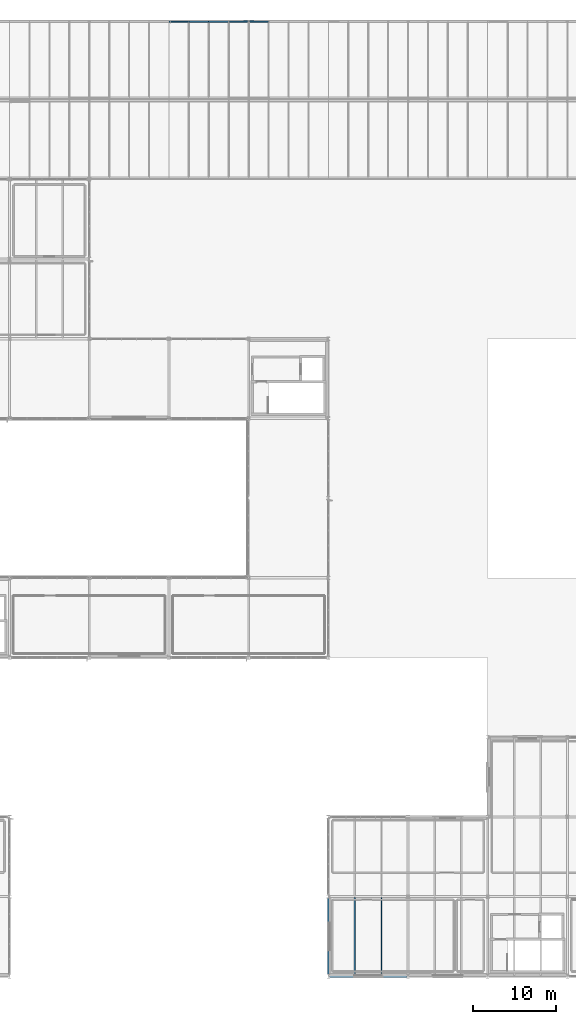
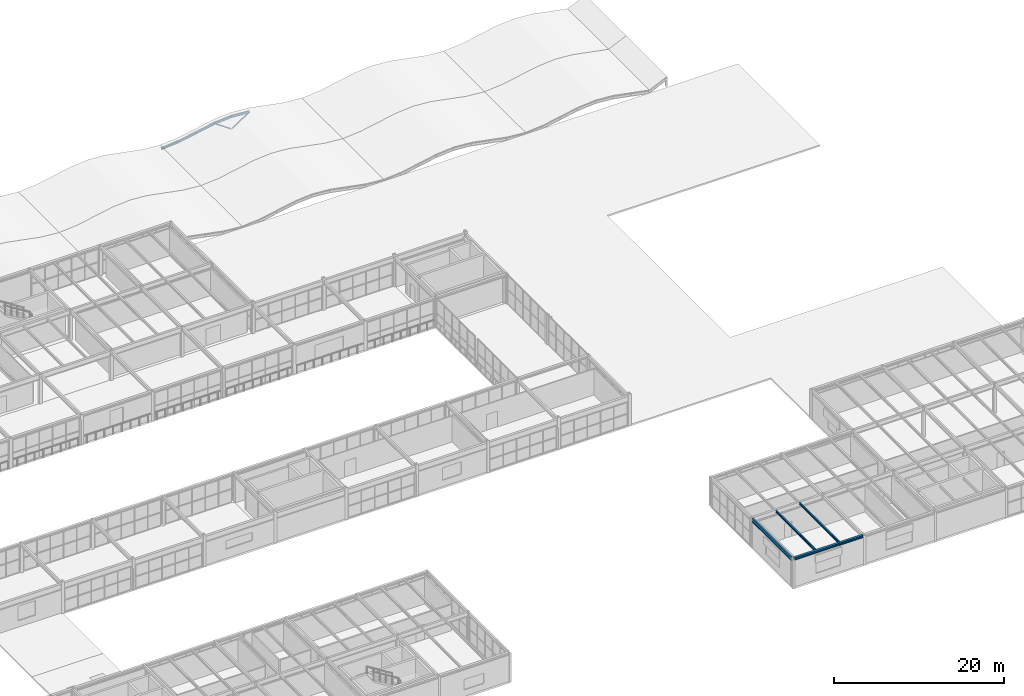
# One storey, part 114 of 170: 9 beams, 3 members.
"""IFC4 building model written with IfcOpenShell, lengths in metres."""

from ifc_helpers import new_model, si_unit, direction, frame, origin, origin_2d, place, context, subcontext, project, spatial, hollow_rectangle, hollow_circle, i_section, extrude, material, material_profile, profile_set, type_object, element, save


model = new_model("IFC4")

# Units and contexts
model_context = context("Model", 3, precision=1e-05, world=origin(), true_north=direction((0.0, 1.0)))
body_context = subcontext(model_context, "Body", "Model", "MODEL_VIEW")
ifc_project = project(units=[si_unit("LENGTHUNIT", "METRE"), si_unit("AREAUNIT", "SQUARE_METRE"), si_unit("VOLUMEUNIT", "CUBIC_METRE"), si_unit("PLANEANGLEUNIT", "RADIAN"), si_unit("MASSUNIT", "GRAM", prefix="KILO")], contexts=[model_context])

# Site, building, storey
site_placement = place(None, origin())
site = spatial("IfcSite", under=ifc_project, at=site_placement, CompositionType="ELEMENT")
building_placement = place(site_placement, origin())
building = spatial("IfcBuilding", under=site, at=building_placement, Name="Coralgate Yard Interchange", CompositionType="ELEMENT")
storey_placement = place(building_placement, frame((0.0, 0.0, 6.0)))
storey = spatial("IfcBuildingStorey", under=building, at=storey_placement, Name="L01", CompositionType="ELEMENT", Elevation=6.0)

# Beams
ifc_material_1 = material(Name="Structural steel S355J2", Category="steel")
ifc_material_profile_1 = material_profile(ifc_material_1, i_section(OverallWidth=0.209228515625, OverallDepth=0.533203125, WebThickness=0.010009765625, FlangeThickness=0.015625, FilletRadius=0.0126953125, at=origin_2d()), Name="UB 533x210x92")
ifc_profile_set_1 = profile_set([ifc_material_profile_1], Name="Structural steel S355J2")
beam_type_1 = type_object("IfcBeamType", Name="BM-SB-1", PredefinedType="BEAM", material=ifc_profile_set_1)
beam_1_placement = place(storey_placement, frame((134.39990234375, 0.219970703125, 3.9833984375), z_axis=(0.0, 1.0, 0.0), x_axis=(-1.0, 0.0, 0.0)))
element("IfcBeam", 1, at=beam_1_placement, inside=storey, type_object=beam_type_1, Name="L01 primary grid girder X14 Y0-1", PredefinedType="BEAM", context=body_context, shape_type="SweptSolid", body=[
    extrude(i_section(OverallWidth=0.209228515625, OverallDepth=0.533203125, WebThickness=0.010009765625, FlangeThickness=0.015625, FilletRadius=0.0126953125, at=origin_2d()), origin(), (0.0, 0.0, 1.0), 9.225830078125),
])
ifc_material_profile_2 = material_profile(ifc_material_1, i_section(OverallWidth=0.1650390625, OverallDepth=0.303466796875, WebThickness=0.006103515625, FlangeThickness=0.01025390625, FilletRadius=0.0087890625, at=origin_2d()), Name="UB 305x165x40")
ifc_profile_set_2 = profile_set([ifc_material_profile_2], Name="Structural steel S355J2")
beam_type_2 = type_object("IfcBeamType", Name="BM-SJ-1", PredefinedType="JOIST", material=ifc_profile_set_2)
for number, where, z_axis, x_axis, name in (
    (2, (137.60009765625, 0.1201171875, 4.098388671875), (0.0, 1.0, 0.0), (-1.0, 0.0, 0.0), "L01 composite floor joist 14-0-1"),
    (3, (140.800048828125, 0.1201171875, 4.098388671875), (0.0, 1.0, 0.0), (-1.0, 0.0, 0.0), "L01 composite floor joist 14-0-2"),
):
    element("IfcBeam", number, at=place(storey_placement, frame(where, z_axis=z_axis, x_axis=x_axis)), inside=storey, type_object=beam_type_2, Name=name, PredefinedType="JOIST", context=body_context, shape_type="SweptSolid", body=[
        extrude(i_section(OverallWidth=0.1650390625, OverallDepth=0.303466796875, WebThickness=0.006103515625, FlangeThickness=0.01025390625, FilletRadius=0.0087890625, at=origin_2d()), origin(), (0.0, 0.0, 1.0), 9.383056640625),
    ])
ifc_material_profile_3 = material_profile(ifc_material_1, i_section(OverallWidth=0.300048828125, OverallDepth=0.35009765625, WebThickness=0.010009765625, FlangeThickness=0.017578125, FilletRadius=0.027099609375, at=origin_2d()), Name="HEA 360")
ifc_profile_set_3 = profile_set([ifc_material_profile_3], Name="Structural steel S355J2")
beam_type_3 = type_object("IfcBeamType", Name="BM-SP-1", PredefinedType="SPANDREL", material=ifc_profile_set_3)
beam_2_placement = place(storey_placement, frame((134.52001953125, 0.0, 4.074951171875), z_axis=(1.0, 0.0, 0.0), x_axis=(0.0, 1.0, 0.0)))
element("IfcBeam", 4, at=beam_2_placement, inside=storey, type_object=beam_type_3, Name="L01 primary grid beam Y0 X14-15", PredefinedType="SPANDREL", context=body_context, shape_type="SweptSolid", body=[
    extrude(i_section(OverallWidth=0.300048828125, OverallDepth=0.35009765625, WebThickness=0.010009765625, FlangeThickness=0.017578125, FilletRadius=0.027099609375, at=origin_2d()), origin(), (0.0, 0.0, 1.0), 9.35986328125),
])
ifc_material_2 = material(Name="Off-white architectural structural steel S355J2", Category="steel")
ifc_material_profile_4 = material_profile(ifc_material_2, i_section(OverallWidth=0.159912109375, OverallDepth=0.330078125, WebThickness=0.007568359375, FlangeThickness=0.011474609375, FilletRadius=0.01806640625, at=origin_2d()), Name="IPE 330")
ifc_profile_set_4 = profile_set([ifc_material_profile_4], Name="Off-white architectural structural steel S355J2")
beam_type_4 = type_object("IfcBeamType", Name="BM-WR-2", PredefinedType="BEAM", material=ifc_profile_set_4)
beam_3_placement = place(storey_placement, frame((115.199951171875, 114.97998046875, -0.1650390625), z_axis=(0.996867296401, 0.0, 0.079092309144), x_axis=(0.0, 1.0, 0.0)))
element("IfcBeam", 5, at=beam_3_placement, inside=storey, type_object=beam_type_4, Name="Wave-shell steel arch rib R2-W5-N1", PredefinedType="BEAM", context=body_context, shape_type="SweptSolid", body=[
    extrude(i_section(OverallWidth=0.159912109375, OverallDepth=0.330078125, WebThickness=0.007568359375, FlangeThickness=0.011474609375, FilletRadius=0.01806640625, at=origin_2d()), origin(), (0.0, 0.0, 1.0), 2.40771484375),
])
for number, where, z_axis, x_axis, name in (
    (6, (117.60009765625, 114.97998046875, 0.025390625), (0.98214301705, 0.0, 0.18813583938), (0.0, 1.0, 0.0), "Wave-shell steel arch rib R2-W5-N2"),
    (7, (120.0, 114.97998046875, 0.485107421875), (0.98216147419, 0.0, 0.188039460267), (0.0, 1.0, 0.0), "Wave-shell steel arch rib R2-W5-N3"),
):
    element("IfcBeam", number, at=place(storey_placement, frame(where, z_axis=z_axis, x_axis=x_axis)), inside=storey, type_object=beam_type_4, Name=name, PredefinedType="BEAM", context=body_context, shape_type="SweptSolid", body=[
        extrude(i_section(OverallWidth=0.159912109375, OverallDepth=0.330078125, WebThickness=0.007568359375, FlangeThickness=0.011474609375, FilletRadius=0.01806640625, at=origin_2d()), origin(), (0.0, 0.0, 1.0), 2.443603515625),
    ])
beam_4_placement = place(storey_placement, frame((122.39990234375, 114.97998046875, 0.944580078125), z_axis=(0.996867296401, 0.0, 0.079092309144), x_axis=(0.0, 1.0, 0.0)))
element("IfcBeam", 8, at=beam_4_placement, inside=storey, type_object=beam_type_4, Name="Wave-shell steel arch rib R2-W5-N4", PredefinedType="BEAM", context=body_context, shape_type="SweptSolid", body=[
    extrude(i_section(OverallWidth=0.159912109375, OverallDepth=0.330078125, WebThickness=0.007568359375, FlangeThickness=0.011474609375, FilletRadius=0.01806640625, at=origin_2d()), origin(), (0.0, 0.0, 1.0), 2.40771484375),
])
beam_5_placement = place(storey_placement, frame((124.800048828125, 114.97998046875, 1.135009765625), z_axis=(0.996866661985, 0.0, -0.079100304817), x_axis=(0.0, 1.0, 0.0)))
element("IfcBeam", 9, at=beam_5_placement, inside=storey, type_object=beam_type_4, Name="Wave-shell steel arch rib R2-W5-N5", PredefinedType="BEAM", context=body_context, shape_type="SweptSolid", body=[
    extrude(i_section(OverallWidth=0.159912109375, OverallDepth=0.330078125, WebThickness=0.007568359375, FlangeThickness=0.011474609375, FilletRadius=0.01806640625, at=origin_2d()), origin(), (0.0, 0.0, 1.0), 2.407470703125),
])

# Members
ifc_material_3 = material(Name="Weather-coated structural steel S355J2", Category="steel")
ifc_material_profile_5 = material_profile(ifc_material_3, hollow_rectangle(XDim=0.14990234375, YDim=0.14990234375, WallThickness=0.008056640625, InnerFilletRadius=0.008056640625, OuterFilletRadius=0.01611328125, at=origin_2d()), Name="SHS 150x150x8")
ifc_profile_set_5 = profile_set([ifc_material_profile_5], Name="Weather-coated structural steel S355J2")
member_type_1 = type_object("IfcMemberType", Name="MB-GC-5", PredefinedType="CHORD", material=ifc_profile_set_5)
member_1_placement = place(storey_placement, frame((115.3798828125, 114.97998046875, -0.080078125), z_axis=(0.993089541619, 0.0, 0.117359116936), x_axis=(0.0, 1.0, 0.0)))
element("IfcMember", 10, at=member_1_placement, inside=storey, type_object=member_type_1, Name="Wave-canopy longitudinal tie member 5", PredefinedType="CHORD", context=body_context, shape_type="SweptSolid", body=[
    extrude(hollow_rectangle(XDim=0.14990234375, YDim=0.14990234375, WallThickness=0.008056640625, InnerFilletRadius=0.008056640625, OuterFilletRadius=0.01611328125, at=origin_2d()), origin(), (0.0, 0.0, 1.0), 2.215576171875),
])
ifc_material_4 = material(Name="Yellow-ochre weather-coated structural steel S355J2", Category="steel")
ifc_material_profile_6 = material_profile(ifc_material_4, hollow_circle(Radius=0.084228515625, WallThickness=0.008056640625, at=origin_2d()), Name="CHS 168.3x8")
ifc_profile_set_6 = profile_set([ifc_material_profile_6], Name="Yellow-ochre weather-coated structural steel S355J2")
member_type_2 = type_object("IfcMemberType", Name="MB-HG-2", PredefinedType="STRUT", material=ifc_profile_set_6)
member_2_placement = place(storey_placement, frame((124.739990234375, 115.0400390625, -0.679931640625), z_axis=(-0.821277794471, -0.021078178137, 0.570139013501), x_axis=(0.025656653127, -0.999670813893, 0.0)))
element("IfcMember", 11, at=member_2_placement, inside=storey, type_object=member_type_2, Name="Wave-shell inclined V-strut WVBR-R2-W5-N-L", PredefinedType="STRUT", context=body_context, shape_type="SweptSolid", body=[
    extrude(hollow_circle(Radius=0.084228515625, WallThickness=0.008056640625, at=origin_2d()), origin(), (0.0, 0.0, 1.0), 2.849365234375),
])
member_3_placement = place(storey_placement, frame((124.860107421875, 115.0400390625, -0.679931640625), z_axis=(0.821249901259, -0.021079661489, 0.570179136371), x_axis=(0.025659328394, 0.999670745229, 0.0)))
element("IfcMember", 12, at=member_3_placement, inside=storey, type_object=member_type_2, Name="Wave-shell inclined V-strut WVBR-R2-W5-N-R", PredefinedType="STRUT", context=body_context, shape_type="SweptSolid", body=[
    extrude(hollow_circle(Radius=0.084228515625, WallThickness=0.008056640625, at=origin_2d()), origin(), (0.0, 0.0, 1.0), 2.84912109375),
])

save(model, "model.ifc")
